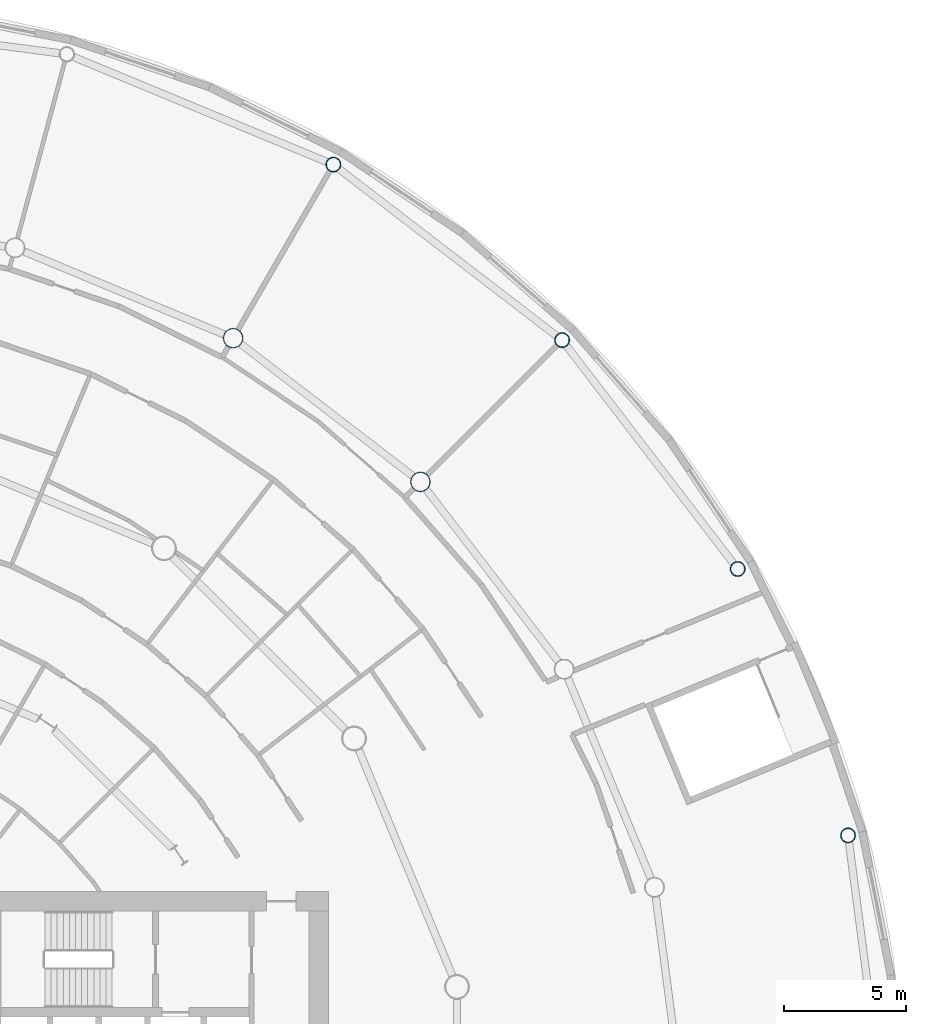
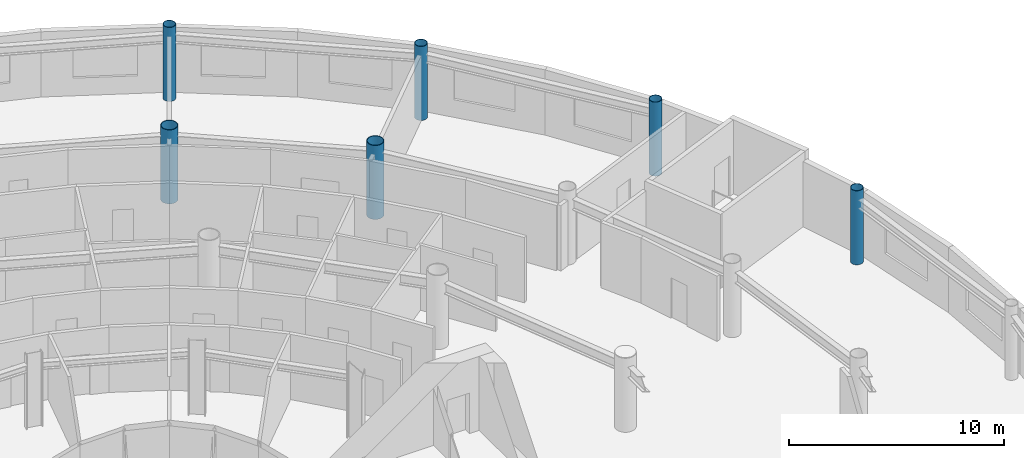
# One storey, part 6 of 29: 6 columns.
"""IFC4 building model written with IfcOpenShell, lengths in metres."""

from ifc_helpers import new_model, si_unit, direction, frame, origin, origin_2d, place, context, subcontext, project, spatial, hollow_circle, extrude, material, material_profile, profile_set, type_object, element, save


model = new_model("IFC4")

# Units and contexts
model_context = context("Model", 3, precision=1e-05, world=origin(), true_north=direction((0.0, 1.0)))
body_context = subcontext(model_context, "Body", "Model", "MODEL_VIEW")
ifc_project = project(units=[si_unit("LENGTHUNIT", "METRE"), si_unit("AREAUNIT", "SQUARE_METRE"), si_unit("VOLUMEUNIT", "CUBIC_METRE"), si_unit("PLANEANGLEUNIT", "RADIAN"), si_unit("MASSUNIT", "GRAM", prefix="KILO")], contexts=[model_context])

# Site, building, storey
site_placement = place(None, origin())
site = spatial("IfcSite", under=ifc_project, at=site_placement, CompositionType="ELEMENT")
building_placement = place(site_placement, origin())
building = spatial("IfcBuilding", under=site, at=building_placement, Name="Maasbend Ring Residences", CompositionType="ELEMENT")
storey_placement = place(building_placement, frame((0.0, 0.0, 5.39990234375)))
storey = spatial("IfcBuildingStorey", under=building, at=storey_placement, Name="L01", CompositionType="ELEMENT", Elevation=5.39990234375)

# Columns
ifc_material_1 = material(Name="Composite concrete-filled steel tube S460NH / C80/95", Category="concrete")
ifc_material_profile_1 = material_profile(ifc_material_1, hollow_circle(Radius=0.304931640625, WallThickness=0.02490234375, at=origin_2d()), Name="Composite tube column CHS 610x25")
ifc_profile_set_1 = profile_set([ifc_material_profile_1], Name="Composite concrete-filled steel tube S460NH / C80/95")
column_type_1 = type_object("IfcColumnType", Name="Composite tube column CHS 610x25", PredefinedType="COLUMN", material=ifc_profile_set_1)
for number, where, z_axis, x_axis, name in (
    (1, (43.659912109375, 11.698486328125, 0.0), (0.0, 0.0, 1.0), (1.0, 0.0, 0.0), "Deck edge column B02"),
    (2, (39.144287109375, 22.60009765625, 0.0), (0.0, 0.0, 1.0), (1.0, 0.0, 0.0), "Deck edge column B03"),
    (3, (31.961181640625, 31.961181640625, 0.0), (0.0, 0.0, 1.0), (1.0, 0.0, 0.0), "Deck edge column B04"),
    (4, (22.60009765625, 39.144287109375, 0.0), (0.0, 0.0, 1.0), (1.0, 0.0, 0.0), "Deck edge column B05"),
):
    element("IfcColumn", number, at=place(storey_placement, frame(where, z_axis=z_axis, x_axis=x_axis)), inside=storey, type_object=column_type_1, Name=name, PredefinedType="COLUMN", context=body_context, shape_type="SweptSolid", body=[
        extrude(hollow_circle(Radius=0.304931640625, WallThickness=0.02490234375, at=origin_2d()), origin(), (0.0, 0.0, 1.0), 4.2001953125),
    ])
ifc_material_2 = material(Name="Composite concrete-filled steel tube S460NH / C80/95", Category="concrete")
ifc_material_profile_2 = material_profile(ifc_material_2, hollow_circle(Radius=0.406494140625, WallThickness=0.030029296875, at=origin_2d()), Name="Composite tube column CHS 813x30")
ifc_profile_set_2 = profile_set([ifc_material_profile_2], Name="Composite concrete-filled steel tube S460NH / C80/95")
column_type_2 = type_object("IfcColumnType", Name="Composite tube column CHS 813x30", PredefinedType="COLUMN", material=ifc_profile_set_2)
for number, where, z_axis, x_axis, name in (
    (5, (26.1630859375, 26.1630859375, 0.0), (0.0, 0.0, 1.0), (1.0, 0.0, 0.0), "Podium column B04"),
    (6, (18.5, 32.04296875, 0.0), (0.0, 0.0, 1.0), (1.0, 0.0, 0.0), "Podium column B05"),
):
    element("IfcColumn", number, at=place(storey_placement, frame(where, z_axis=z_axis, x_axis=x_axis)), inside=storey, type_object=column_type_2, Name=name, PredefinedType="COLUMN", context=body_context, shape_type="SweptSolid", body=[
        extrude(hollow_circle(Radius=0.406494140625, WallThickness=0.030029296875, at=origin_2d()), origin(), (0.0, 0.0, 1.0), 4.2001953125),
    ])

save(model, "model.ifc")
